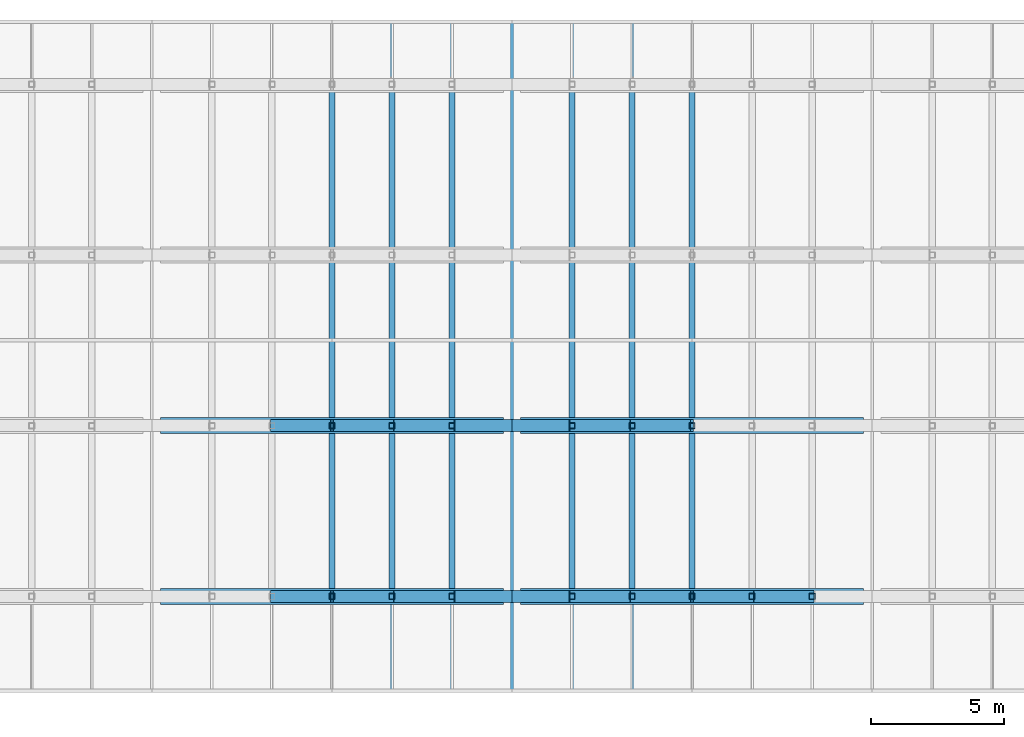
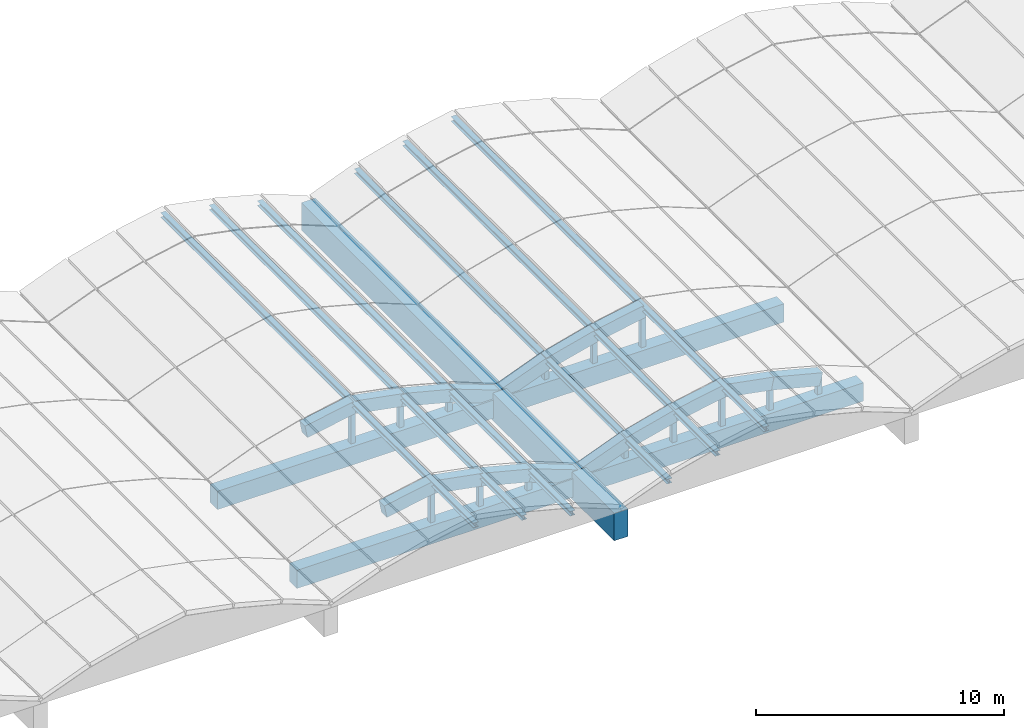
# One storey, part 4 of 15: 21 beams, 20 members.
"""IFC4 building model written with IfcOpenShell, lengths in metres."""

import ifcopenshell
import ifcopenshell.guid

model = None  # the IFC model being written
_history = None  # IfcOwnerHistory: only IFC2X3 demands one
_inside = {}  # id of a spatial element -> (the spatial element, [elements in it])
_under = {}  # id of a project, library or spatial element -> (it, [spatial elements below it])
_declared = {}  # id of a project -> (the project, [libraries it declares])
_typed = {}  # id of a type object -> (the type object, [elements of that type])
_made_of = {}  # id of a material, layer set ... -> (it, [elements and type objects made of it])


def new_model(schema):
    """Start an empty IFC model of exactly this schema.

    Asked for "IFC4X3", IfcOpenShell would pick the latest addendum, in which some entities
    have other attributes; the version numbers below select the first issue.
    IFC2X3 requires an IfcOwnerHistory on every rooted entity: one is made here for all.
    """
    global model, _history
    if schema == "IFC4X3":
        model = ifcopenshell.file(schema_version=(4, 3, 0, 0))
    else:
        model = ifcopenshell.file(schema=schema)
    _inside.clear()
    _under.clear()
    _declared.clear()
    _typed.clear()
    _made_of.clear()
    _history = None
    if model.schema == "IFC2X3":
        org = make("IfcOrganization", Name="unknown")
        user = make(
            "IfcPersonAndOrganization",
            ThePerson=make("IfcPerson", FamilyName="unknown"),
            TheOrganization=org,
        )
        app = make(
            "IfcApplication",
            ApplicationDeveloper=org,
            Version="unknown",
            ApplicationFullName="unknown",
            ApplicationIdentifier="unknown",
        )
        _history = make(
            "IfcOwnerHistory",
            OwningUser=user,
            OwningApplication=app,
            ChangeAction="ADDED",
            CreationDate=0,
        )
    return model


def make(cls, **values):
    """One entity of the class cls with the attributes given. An attribute that is None is left unset."""
    return model.create_entity(
        cls, **{name: value for name, value in values.items() if value is not None}
    )


def rooted(cls, **values):
    """An entity with a GlobalId (a new one), such as an element, a storey or a relation."""
    return make(cls, GlobalId=ifcopenshell.guid.new(), OwnerHistory=_history, **values)


def si_unit(unit_type, name, prefix=None):
    """IfcSIUnit, for example si_unit("LENGTHUNIT", "METRE", prefix="MILLI")."""
    return make("IfcSIUnit", UnitType=unit_type, Prefix=prefix, Name=name)


def assignment(units):
    """IfcUnitAssignment: the units of a project."""
    return None if units is None else make("IfcUnitAssignment", Units=units)


def point(xyz):
    """IfcCartesianPoint."""
    return None if xyz is None else make("IfcCartesianPoint", Coordinates=xyz)


def direction(xyz):
    """IfcDirection."""
    return None if xyz is None else make("IfcDirection", DirectionRatios=xyz)


def frame(location, z_axis=None, x_axis=None):
    """IfcAxis2Placement3D, a coordinate frame: its origin and axes. An axis left out is left unset."""
    return make(
        "IfcAxis2Placement3D",
        Location=point(location),
        Axis=direction(z_axis),
        RefDirection=direction(x_axis),
    )


def frame_2d(location, x_axis=None):
    """IfcAxis2Placement2D, a coordinate frame in the plane: its origin and x axis."""
    return make(
        "IfcAxis2Placement2D", Location=point(location), RefDirection=direction(x_axis)
    )


def origin():
    """The frame at (0, 0, 0) with its axes left unset."""
    return frame((0.0, 0.0, 0.0))


def origin_2d():
    """The frame at (0, 0) in the plane with its x axis left unset."""
    return frame_2d((0.0, 0.0))


def place(relative_to, where):
    """IfcLocalPlacement: puts the frame where relative to a parent placement (None: the world)."""
    return make(
        "IfcLocalPlacement", PlacementRelTo=relative_to, RelativePlacement=where
    )


def context(
    kind, dimensions, precision=None, world=None, true_north=None, identifier=None
):
    """IfcGeometricRepresentationContext, for example the 3D "Model" context."""
    return make(
        "IfcGeometricRepresentationContext",
        ContextIdentifier=identifier,
        ContextType=kind,
        CoordinateSpaceDimension=dimensions,
        Precision=precision,
        WorldCoordinateSystem=world,
        TrueNorth=true_north,
    )


def subcontext(parent, identifier, kind, view, scale=None):
    """IfcGeometricRepresentationSubContext, for example "Body" below "Model"."""
    return make(
        "IfcGeometricRepresentationSubContext",
        ContextIdentifier=identifier,
        ContextType=kind,
        ParentContext=parent,
        TargetScale=scale,
        TargetView=view,
    )


def project(units=None, contexts=None):
    """IfcProject with its units and contexts."""
    return rooted(
        "IfcProject",
        Name="project",
        RepresentationContexts=contexts,
        UnitsInContext=assignment(units),
    )


def spatial(cls, under=None, at=None, **own):
    """A site, building, storey or space (cls), placed at a placement, below another one or the project."""
    s = rooted(cls, ObjectPlacement=at, **own)
    if under is not None:
        _under.setdefault(under.id(), (under, []))[1].append(s)
    return s


def profile(cls, at=None, kind="AREA", **sizes):
    """A parametric profile (cls). Its sizes go by their IFC names, for example OverallWidth=200.0."""
    return make(cls, ProfileType=kind, Position=at, **sizes)


def rectangle(**sizes):
    """IfcRectangleProfileDef."""
    return profile("IfcRectangleProfileDef", **sizes)


def hollow_rectangle(**sizes):
    """IfcRectangleHollowProfileDef."""
    return profile("IfcRectangleHollowProfileDef", **sizes)


def i_section(**sizes):
    """IfcIShapeProfileDef."""
    return profile("IfcIShapeProfileDef", **sizes)


def extrude(swept, where, along, depth):
    """IfcExtrudedAreaSolid: the profile swept, set in the frame where, extruded along a direction by depth."""
    return make(
        "IfcExtrudedAreaSolid",
        SweptArea=swept,
        Position=where,
        ExtrudedDirection=direction(along),
        Depth=depth,
    )


def shape(context_of_items, identifier, shape_type, items):
    """IfcShapeRepresentation: the items that make up one representation, for example the "Body"."""
    return make(
        "IfcShapeRepresentation",
        ContextOfItems=context_of_items,
        RepresentationIdentifier=identifier,
        RepresentationType=shape_type,
        Items=items,
    )


def material(Name=None, Category=None):
    """IfcMaterial."""
    return make("IfcMaterial", Name=Name, Category=Category)


def material_profile(
    of_material, cross_section, Name=None, Category=None, Priority=None
):
    """IfcMaterialProfile: a cross section and its material."""
    return make(
        "IfcMaterialProfile",
        Name=Name,
        Material=of_material,
        Profile=cross_section,
        Priority=Priority,
        Category=Category,
    )


def profile_set(profiles, Name=None, composite=None):
    """IfcMaterialProfileSet."""
    return make(
        "IfcMaterialProfileSet",
        Name=Name,
        MaterialProfiles=profiles,
        CompositeProfile=composite,
    )


def made_of(thing, what):
    """Note that an element or type object is made of a material, layer set ...; save() writes the relation."""
    if what is not None:
        _made_of.setdefault(what.id(), (what, []))[1].append(thing)
    return thing


def type_object(cls, material=None, **own):
    """A type object (cls), such as IfcWallType, which elements share."""
    return made_of(rooted(cls, **own), material)


def element(
    cls,
    number,
    at=None,
    inside=None,
    cuts=None,
    type_object=None,
    material=None,
    context=None,
    identifier="Body",
    shape_type=None,
    held_by="IfcProductDefinitionShape",
    body=None,
    shapes=None,
    **own,
):
    """One element of the class cls, such as IfcWall. Its Tag is "e" and its number.

    at: its placement. inside: the storey or other place that contains it. cuts: it is an
    opening in that element (IfcRelVoidsElement). A single representation is given by context,
    identifier, shape_type and body (its items); several are given by shapes. held_by: the class
    of the entity that holds the representations. save() writes the other relations.
    """
    e = rooted(cls, Tag="e%d" % number, ObjectPlacement=at, **own)
    if body is not None:
        shapes = [shape(context, identifier, shape_type, body)]
    if shapes is not None:
        e.Representation = make(held_by, Representations=shapes)
    if inside is not None:
        _inside.setdefault(inside.id(), (inside, []))[1].append(e)
    if cuts is not None:
        rooted(
            "IfcRelVoidsElement", RelatingBuildingElement=cuts, RelatedOpeningElement=e
        )
    if type_object is not None:
        _typed.setdefault(type_object.id(), (type_object, []))[1].append(e)
    return made_of(e, material)


def aggregate(whole, parts):
    """IfcRelAggregates: a whole, such as a stair, and the parts it consists of."""
    return rooted("IfcRelAggregates", RelatingObject=whole, RelatedObjects=parts)


def save(model, path):
    """Write the relations noted so far, then the file.

    IfcRelAggregates (storeys below a building ...), IfcRelContainedInSpatialStructure (elements
    in a storey), IfcRelDefinesByType, IfcRelAssociatesMaterial and IfcRelDeclares: one each for
    every whole, place, type object, material and project.
    """
    for whole, parts in _under.values():
        aggregate(whole, parts)
    for where, things in _inside.values():
        rooted(
            "IfcRelContainedInSpatialStructure",
            RelatedElements=things,
            RelatingStructure=where,
        )
    for kind, things in _typed.values():
        rooted("IfcRelDefinesByType", RelatedObjects=things, RelatingType=kind)
    for what, things in _made_of.values():
        rooted("IfcRelAssociatesMaterial", RelatedObjects=things, RelatingMaterial=what)
    for by, libraries in _declared.values():
        rooted("IfcRelDeclares", RelatingContext=by, RelatedDefinitions=libraries)
    model.write(path)


model = new_model("IFC4")

# Units and contexts
model_context = context("Model", 3, precision=1e-05, world=origin(), true_north=direction((0.0, 1.0)))
body_context = subcontext(model_context, "Body", "Model", "MODEL_VIEW")
ifc_project = project(units=[si_unit("LENGTHUNIT", "METRE"), si_unit("AREAUNIT", "SQUARE_METRE"), si_unit("VOLUMEUNIT", "CUBIC_METRE"), si_unit("PLANEANGLEUNIT", "RADIAN"), si_unit("MASSUNIT", "GRAM", prefix="KILO")], contexts=[model_context])

# Site, building, storey
site_placement = place(None, origin())
site = spatial("IfcSite", under=ifc_project, at=site_placement, CompositionType="ELEMENT")
building_placement = place(site_placement, origin())
building = spatial("IfcBuilding", under=site, at=building_placement, Name="Fikremerkos Civic Library", CompositionType="ELEMENT")
storey_placement = place(building_placement, frame((0.0, 0.0, 27.89990234375)))
storey = spatial("IfcBuildingStorey", under=building, at=storey_placement, Name="RF", CompositionType="ELEMENT", Elevation=27.89990234375)

# Members
ifc_material_1 = material(Name="Steel S355", Category="steel")
ifc_material_profile_1 = material_profile(ifc_material_1, hollow_rectangle(XDim=0.219970703125, YDim=0.219970703125, WallThickness=0.012451171875, at=origin_2d()), Name="SHS 220x220x12.5")
ifc_profile_set_1 = profile_set([ifc_material_profile_1], Name="Steel S355")
member_type_1 = type_object("IfcMemberType", Name="Frame post PST-04 SHS 220x220x12.5", PredefinedType="POST", material=ifc_profile_set_1)
member_1_placement = place(storey_placement, frame((52.949951171875, 12.0, -0.75), z_axis=(0.0, 0.0, 1.0), x_axis=(1.0, 0.0, 0.0)))
element("IfcMember", 1, at=member_1_placement, inside=storey, type_object=member_type_1, Name="Vault tied-arch web post PST-04 V3 R1.3", PredefinedType="POST", context=body_context, shape_type="SweptSolid", body=[
    extrude(hollow_rectangle(XDim=0.219970703125, YDim=0.219970703125, WallThickness=0.012451171875, at=origin_2d()), origin(), (0.0, 0.0, 1.0), 2.43408203125),
])
member_2_placement = place(storey_placement, frame((55.199951171875, 12.0, -0.75), z_axis=(0.0, 0.0, 1.0), x_axis=(1.0, 0.0, 0.0)))
element("IfcMember", 2, at=member_2_placement, inside=storey, type_object=member_type_1, Name="Vault tied-arch web post PST-04 V3 R1.4", PredefinedType="POST", context=body_context, shape_type="SweptSolid", body=[
    extrude(hollow_rectangle(XDim=0.219970703125, YDim=0.219970703125, WallThickness=0.012451171875, at=origin_2d()), origin(), (0.0, 0.0, 1.0), 2.01416015625),
])
member_3_placement = place(storey_placement, frame((57.449951171875, 12.0, -0.75), z_axis=(0.0, 0.0, 1.0), x_axis=(1.0, 0.0, 0.0)))
element("IfcMember", 3, at=member_3_placement, inside=storey, type_object=member_type_1, Name="Vault tied-arch web post PST-04 V3 R1.5", PredefinedType="POST", context=body_context, shape_type="SweptSolid", body=[
    extrude(hollow_rectangle(XDim=0.219970703125, YDim=0.219970703125, WallThickness=0.012451171875, at=origin_2d()), origin(), (0.0, 0.0, 1.0), 1.43603515625),
])
member_4_placement = place(storey_placement, frame((52.949951171875, 18.39990234375, -0.75), z_axis=(0.0, 0.0, 1.0), x_axis=(1.0, 0.0, 0.0)))
element("IfcMember", 4, at=member_4_placement, inside=storey, type_object=member_type_1, Name="Vault tied-arch web post PST-04 V3 R2.3", PredefinedType="POST", context=body_context, shape_type="SweptSolid", body=[
    extrude(hollow_rectangle(XDim=0.219970703125, YDim=0.219970703125, WallThickness=0.012451171875, at=origin_2d()), origin(), (0.0, 0.0, 1.0), 2.47412109375),
])
member_5_placement = place(storey_placement, frame((55.199951171875, 18.39990234375, -0.75), z_axis=(0.0, 0.0, 1.0), x_axis=(1.0, 0.0, 0.0)))
element("IfcMember", 5, at=member_5_placement, inside=storey, type_object=member_type_1, Name="Vault tied-arch web post PST-04 V3 R2.4", PredefinedType="POST", context=body_context, shape_type="SweptSolid", body=[
    extrude(hollow_rectangle(XDim=0.219970703125, YDim=0.219970703125, WallThickness=0.012451171875, at=origin_2d()), origin(), (0.0, 0.0, 1.0), 2.05419921875),
])
member_6_placement = place(storey_placement, frame((57.449951171875, 18.39990234375, -0.75), z_axis=(0.0, 0.0, 1.0), x_axis=(1.0, 0.0, 0.0)))
element("IfcMember", 6, at=member_6_placement, inside=storey, type_object=member_type_1, Name="Vault tied-arch web post PST-04 V3 R2.5", PredefinedType="POST", context=body_context, shape_type="SweptSolid", body=[
    extrude(hollow_rectangle(XDim=0.219970703125, YDim=0.219970703125, WallThickness=0.012451171875, at=origin_2d()), origin(), (0.0, 0.0, 1.0), 1.47607421875),
])
member_7_placement = place(storey_placement, frame((61.949951171875, 12.0, -0.75), z_axis=(0.0, 0.0, 1.0), x_axis=(1.0, 0.0, 0.0)))
element("IfcMember", 7, at=member_7_placement, inside=storey, type_object=member_type_1, Name="Vault tied-arch web post PST-04 V4 R1.1", PredefinedType="POST", context=body_context, shape_type="SweptSolid", body=[
    extrude(hollow_rectangle(XDim=0.219970703125, YDim=0.219970703125, WallThickness=0.012451171875, at=origin_2d()), origin(), (0.0, 0.0, 1.0), 1.43603515625),
])
member_8_placement = place(storey_placement, frame((64.199951171875, 12.0, -0.75), z_axis=(0.0, 0.0, 1.0), x_axis=(1.0, 0.0, 0.0)))
element("IfcMember", 8, at=member_8_placement, inside=storey, type_object=member_type_1, Name="Vault tied-arch web post PST-04 V4 R1.2", PredefinedType="POST", context=body_context, shape_type="SweptSolid", body=[
    extrude(hollow_rectangle(XDim=0.219970703125, YDim=0.219970703125, WallThickness=0.012451171875, at=origin_2d()), origin(), (0.0, 0.0, 1.0), 2.01416015625),
])
member_9_placement = place(storey_placement, frame((66.449951171875, 12.0, -0.75), z_axis=(0.0, 0.0, 1.0), x_axis=(1.0, 0.0, 0.0)))
element("IfcMember", 9, at=member_9_placement, inside=storey, type_object=member_type_1, Name="Vault tied-arch web post PST-04 V4 R1.3", PredefinedType="POST", context=body_context, shape_type="SweptSolid", body=[
    extrude(hollow_rectangle(XDim=0.219970703125, YDim=0.219970703125, WallThickness=0.012451171875, at=origin_2d()), origin(), (0.0, 0.0, 1.0), 2.43408203125),
])
member_10_placement = place(storey_placement, frame((68.699951171875, 12.0, -0.75), z_axis=(0.0, 0.0, 1.0), x_axis=(1.0, 0.0, 0.0)))
element("IfcMember", 10, at=member_10_placement, inside=storey, type_object=member_type_1, Name="Vault tied-arch web post PST-04 V4 R1.4", PredefinedType="POST", context=body_context, shape_type="SweptSolid", body=[
    extrude(hollow_rectangle(XDim=0.219970703125, YDim=0.219970703125, WallThickness=0.012451171875, at=origin_2d()), origin(), (0.0, 0.0, 1.0), 2.01416015625),
])
member_11_placement = place(storey_placement, frame((70.949951171875, 12.0, -0.75), z_axis=(0.0, 0.0, 1.0), x_axis=(1.0, 0.0, 0.0)))
element("IfcMember", 11, at=member_11_placement, inside=storey, type_object=member_type_1, Name="Vault tied-arch web post PST-04 V4 R1.5", PredefinedType="POST", context=body_context, shape_type="SweptSolid", body=[
    extrude(hollow_rectangle(XDim=0.219970703125, YDim=0.219970703125, WallThickness=0.012451171875, at=origin_2d()), origin(), (0.0, 0.0, 1.0), 1.43603515625),
])
member_12_placement = place(storey_placement, frame((61.949951171875, 18.39990234375, -0.75), z_axis=(0.0, 0.0, 1.0), x_axis=(1.0, 0.0, 0.0)))
element("IfcMember", 12, at=member_12_placement, inside=storey, type_object=member_type_1, Name="Vault tied-arch web post PST-04 V4 R2.1", PredefinedType="POST", context=body_context, shape_type="SweptSolid", body=[
    extrude(hollow_rectangle(XDim=0.219970703125, YDim=0.219970703125, WallThickness=0.012451171875, at=origin_2d()), origin(), (0.0, 0.0, 1.0), 1.47607421875),
])
member_13_placement = place(storey_placement, frame((64.199951171875, 18.39990234375, -0.75), z_axis=(0.0, 0.0, 1.0), x_axis=(1.0, 0.0, 0.0)))
element("IfcMember", 13, at=member_13_placement, inside=storey, type_object=member_type_1, Name="Vault tied-arch web post PST-04 V4 R2.2", PredefinedType="POST", context=body_context, shape_type="SweptSolid", body=[
    extrude(hollow_rectangle(XDim=0.219970703125, YDim=0.219970703125, WallThickness=0.012451171875, at=origin_2d()), origin(), (0.0, 0.0, 1.0), 2.05419921875),
])
member_14_placement = place(storey_placement, frame((66.449951171875, 18.39990234375, -0.75), z_axis=(0.0, 0.0, 1.0), x_axis=(1.0, 0.0, 0.0)))
element("IfcMember", 14, at=member_14_placement, inside=storey, type_object=member_type_1, Name="Vault tied-arch web post PST-04 V4 R2.3", PredefinedType="POST", context=body_context, shape_type="SweptSolid", body=[
    extrude(hollow_rectangle(XDim=0.219970703125, YDim=0.219970703125, WallThickness=0.012451171875, at=origin_2d()), origin(), (0.0, 0.0, 1.0), 2.47412109375),
])

# Beams
ifc_material_2 = material(Name="Concrete C45/55", Category="concrete")
ifc_material_profile_2 = material_profile(ifc_material_2, rectangle(XDim=0.449951171875, YDim=0.6201171875, at=origin_2d()), Name="RC 450x620")
ifc_profile_set_2 = profile_set([ifc_material_profile_2], Name="Concrete C45/55")
beam_type_1 = type_object("IfcBeamType", Name="Primary girder vault arch rib BM-10 RC 450x620", PredefinedType="BEAM", material=ifc_profile_set_2)
for number, where, z_axis, x_axis, name in (
    (15, (50.699951171875, 12.0, 1.07421875), (0.983026405145, 0.0, 0.183464129432), (0.0, 1.0, 0.0), "Concrete vault arch rib BM-10 V3 R1.3"),
    (16, (52.949951171875, 12.0, 1.494140625), (0.983026405145, 0.0, -0.183464129432), (0.0, 1.0, 0.0), "Concrete vault arch rib BM-10 V3 R1.4"),
):
    element("IfcBeam", number, at=place(storey_placement, frame(where, z_axis=z_axis, x_axis=x_axis)), inside=storey, type_object=beam_type_1, Name=name, PredefinedType="BEAM", context=body_context, shape_type="SweptSolid", body=[
        extrude(rectangle(XDim=0.449951171875, YDim=0.6201171875, at=origin_2d()), origin(), (0.0, 0.0, 1.0), 2.288818359375),
    ])
beam_1_placement = place(storey_placement, frame((55.199951171875, 12.0, 1.07421875), z_axis=(0.968539266286, 0.0, -0.248860783698), x_axis=(0.0, 1.0, 0.0)))
element("IfcBeam", 17, at=beam_1_placement, inside=storey, type_object=beam_type_1, Name="Concrete vault arch rib BM-10 V3 R1.5", PredefinedType="BEAM", context=body_context, shape_type="SweptSolid", body=[
    extrude(rectangle(XDim=0.449951171875, YDim=0.6201171875, at=origin_2d()), origin(), (0.0, 0.0, 1.0), 2.322998046875),
])
beam_2_placement = place(storey_placement, frame((57.449951171875, 12.0, 0.49609375), z_axis=(0.936028311828, 0.0, -0.351924707084), x_axis=(0.0, 1.0, 0.0)))
element("IfcBeam", 18, at=beam_2_placement, inside=storey, type_object=beam_type_1, Name="Concrete vault arch rib BM-10 V3 R1.6", PredefinedType="BEAM", context=body_context, shape_type="SweptSolid", body=[
    extrude(rectangle(XDim=0.449951171875, YDim=0.6201171875, at=origin_2d()), origin(), (0.0, 0.0, 1.0), 2.40380859375),
])
for number, where, z_axis, x_axis, name in (
    (19, (50.699951171875, 18.39990234375, 1.114013671875), (0.983007163041, 0.0, 0.183567201345), (0.0, 1.0, 0.0), "Concrete vault arch rib BM-10 V3 R2.3"),
    (20, (52.949951171875, 18.39990234375, 1.5341796875), (0.983007163041, 0.0, -0.183567201345), (0.0, 1.0, 0.0), "Concrete vault arch rib BM-10 V3 R2.4"),
):
    element("IfcBeam", number, at=place(storey_placement, frame(where, z_axis=z_axis, x_axis=x_axis)), inside=storey, type_object=beam_type_1, Name=name, PredefinedType="BEAM", context=body_context, shape_type="SweptSolid", body=[
        extrude(rectangle(XDim=0.449951171875, YDim=0.6201171875, at=origin_2d()), origin(), (0.0, 0.0, 1.0), 2.288818359375),
    ])
beam_3_placement = place(storey_placement, frame((55.199951171875, 18.39990234375, 1.114013671875), z_axis=(0.968564592705, 0.0, -0.248762195197), x_axis=(0.0, 1.0, 0.0)))
element("IfcBeam", 21, at=beam_3_placement, inside=storey, type_object=beam_type_1, Name="Concrete vault arch rib BM-10 V3 R2.5", PredefinedType="BEAM", context=body_context, shape_type="SweptSolid", body=[
    extrude(rectangle(XDim=0.449951171875, YDim=0.6201171875, at=origin_2d()), origin(), (0.0, 0.0, 1.0), 2.322998046875),
])
for number, where, z_axis, x_axis, name in (
    (22, (57.449951171875, 18.39990234375, 0.5361328125), (0.936028311828, 0.0, -0.351924707084), (0.0, 1.0, 0.0), "Concrete vault arch rib BM-10 V3 R2.6"),
    (23, (59.699951171875, 12.0, -0.349853515625), (0.936028311828, 0.0, 0.351924707084), (0.0, 1.0, 0.0), "Concrete vault arch rib BM-10 V4 R1.1"),
):
    element("IfcBeam", number, at=place(storey_placement, frame(where, z_axis=z_axis, x_axis=x_axis)), inside=storey, type_object=beam_type_1, Name=name, PredefinedType="BEAM", context=body_context, shape_type="SweptSolid", body=[
        extrude(rectangle(XDim=0.449951171875, YDim=0.6201171875, at=origin_2d()), origin(), (0.0, 0.0, 1.0), 2.40380859375),
    ])
beam_4_placement = place(storey_placement, frame((61.949951171875, 12.0, 0.49609375), z_axis=(0.968539266286, 0.0, 0.248860783698), x_axis=(0.0, 1.0, 0.0)))
element("IfcBeam", 24, at=beam_4_placement, inside=storey, type_object=beam_type_1, Name="Concrete vault arch rib BM-10 V4 R1.2", PredefinedType="BEAM", context=body_context, shape_type="SweptSolid", body=[
    extrude(rectangle(XDim=0.449951171875, YDim=0.6201171875, at=origin_2d()), origin(), (0.0, 0.0, 1.0), 2.322998046875),
])
for number, where, z_axis, x_axis, name in (
    (25, (64.199951171875, 12.0, 1.07421875), (0.983026405145, 0.0, 0.183464129432), (0.0, 1.0, 0.0), "Concrete vault arch rib BM-10 V4 R1.3"),
    (26, (66.449951171875, 12.0, 1.494140625), (0.983026405145, 0.0, -0.183464129432), (0.0, 1.0, 0.0), "Concrete vault arch rib BM-10 V4 R1.4"),
):
    element("IfcBeam", number, at=place(storey_placement, frame(where, z_axis=z_axis, x_axis=x_axis)), inside=storey, type_object=beam_type_1, Name=name, PredefinedType="BEAM", context=body_context, shape_type="SweptSolid", body=[
        extrude(rectangle(XDim=0.449951171875, YDim=0.6201171875, at=origin_2d()), origin(), (0.0, 0.0, 1.0), 2.288818359375),
    ])
beam_5_placement = place(storey_placement, frame((68.699951171875, 12.0, 1.07421875), z_axis=(0.968539266286, 0.0, -0.248860783698), x_axis=(0.0, 1.0, 0.0)))
element("IfcBeam", 27, at=beam_5_placement, inside=storey, type_object=beam_type_1, Name="Concrete vault arch rib BM-10 V4 R1.5", PredefinedType="BEAM", context=body_context, shape_type="SweptSolid", body=[
    extrude(rectangle(XDim=0.449951171875, YDim=0.6201171875, at=origin_2d()), origin(), (0.0, 0.0, 1.0), 2.322998046875),
])
beam_6_placement = place(storey_placement, frame((59.699951171875, 18.39990234375, -0.309814453125), z_axis=(0.936028311828, 0.0, 0.351924707084), x_axis=(0.0, 1.0, 0.0)))
element("IfcBeam", 28, at=beam_6_placement, inside=storey, type_object=beam_type_1, Name="Concrete vault arch rib BM-10 V4 R2.1", PredefinedType="BEAM", context=body_context, shape_type="SweptSolid", body=[
    extrude(rectangle(XDim=0.449951171875, YDim=0.6201171875, at=origin_2d()), origin(), (0.0, 0.0, 1.0), 2.40380859375),
])
beam_7_placement = place(storey_placement, frame((61.949951171875, 18.39990234375, 0.5361328125), z_axis=(0.968564592705, 0.0, 0.248762195197), x_axis=(0.0, 1.0, 0.0)))
element("IfcBeam", 29, at=beam_7_placement, inside=storey, type_object=beam_type_1, Name="Concrete vault arch rib BM-10 V4 R2.2", PredefinedType="BEAM", context=body_context, shape_type="SweptSolid", body=[
    extrude(rectangle(XDim=0.449951171875, YDim=0.6201171875, at=origin_2d()), origin(), (0.0, 0.0, 1.0), 2.322998046875),
])
beam_8_placement = place(storey_placement, frame((64.199951171875, 18.39990234375, 1.114013671875), z_axis=(0.983007163041, 0.0, 0.183567201345), x_axis=(0.0, 1.0, 0.0)))
element("IfcBeam", 30, at=beam_8_placement, inside=storey, type_object=beam_type_1, Name="Concrete vault arch rib BM-10 V4 R2.3", PredefinedType="BEAM", context=body_context, shape_type="SweptSolid", body=[
    extrude(rectangle(XDim=0.449951171875, YDim=0.6201171875, at=origin_2d()), origin(), (0.0, 0.0, 1.0), 2.288818359375),
])
ifc_material_profile_3 = material_profile(ifc_material_2, rectangle(XDim=0.60009765625, YDim=0.89990234375, at=origin_2d()), Name="RC 600x900")
ifc_profile_set_3 = profile_set([ifc_material_profile_3], Name="Concrete C45/55")
beam_type_2 = type_object("IfcBeamType", Name="Primary girder vault tie ring BM-09 RC 600x900", PredefinedType="BEAM", material=ifc_profile_set_3)
for number, where, z_axis, x_axis, name in (
    (31, (46.52490234375, 12.0, -0.75), (1.0, 0.0, 0.0), (0.0, 1.0, 0.0), "Vault springing tie ring beam BM-09 V3 #1"),
    (32, (46.52490234375, 18.39990234375, -0.75), (1.0, 0.0, 0.0), (0.0, 1.0, 0.0), "Vault springing tie ring beam BM-09 V3 #2"),
    (33, (60.02490234375, 12.0, -0.75), (1.0, 0.0, 0.0), (0.0, 1.0, 0.0), "Vault springing tie ring beam BM-09 V4 #1"),
    (34, (60.02490234375, 18.39990234375, -0.75), (1.0, 0.0, 0.0), (0.0, 1.0, 0.0), "Vault springing tie ring beam BM-09 V4 #2"),
):
    element("IfcBeam", number, at=place(storey_placement, frame(where, z_axis=z_axis, x_axis=x_axis)), inside=storey, type_object=beam_type_2, Name=name, PredefinedType="BEAM", context=body_context, shape_type="SweptSolid", body=[
        extrude(rectangle(XDim=0.60009765625, YDim=0.89990234375, at=origin_2d()), origin(), (0.0, 0.0, 1.0), 12.85009765625),
    ])

# Members
ifc_material_profile_4 = material_profile(ifc_material_1, i_section(OverallWidth=0.239990234375, OverallDepth=0.22998046875, WebThickness=0.007568359375, FlangeThickness=0.011962890625, FilletRadius=0.02099609375, at=origin_2d()), Name="HEA 240")
ifc_profile_set_4 = profile_set([ifc_material_profile_4], Name="Steel S355")
member_type_2 = type_object("IfcMemberType", Name="Roof purlin PUR-06 HEA 240", PredefinedType="PURLIN", material=ifc_profile_set_4)
for number, where, z_axis, x_axis, name in (
    (35, (52.949951171875, 8.39990234375, 1.689208984375), (0.0, 1.0, 0.0), (-1.0, 0.0, 0.0), "Vault fold-line purlin PUR-06 V3 #3"),
    (36, (55.199951171875, 8.39990234375, 1.26904296875), (0.0, 1.0, 0.0), (-1.0, 0.0, 0.0), "Vault fold-line purlin PUR-06 V3 #4"),
    (37, (57.449951171875, 8.39990234375, 0.691162109375), (0.0, 1.0, 0.0), (-1.0, 0.0, 0.0), "Vault fold-line purlin PUR-06 V3 #5"),
    (38, (61.949951171875, 8.39990234375, 0.691162109375), (0.0, 1.0, 0.0), (-1.0, 0.0, 0.0), "Vault fold-line purlin PUR-06 V4 #1"),
    (39, (64.199951171875, 8.39990234375, 1.26904296875), (0.0, 1.0, 0.0), (-1.0, 0.0, 0.0), "Vault fold-line purlin PUR-06 V4 #2"),
    (40, (66.449951171875, 8.39990234375, 1.689208984375), (0.0, 1.0, 0.0), (-1.0, 0.0, 0.0), "Vault fold-line purlin PUR-06 V4 #3"),
):
    element("IfcMember", number, at=place(storey_placement, frame(where, z_axis=z_axis, x_axis=x_axis)), inside=storey, type_object=member_type_2, Name=name, PredefinedType="PURLIN", context=body_context, shape_type="SweptSolid", body=[
        extrude(i_section(OverallWidth=0.239990234375, OverallDepth=0.22998046875, WebThickness=0.007568359375, FlangeThickness=0.011962890625, FilletRadius=0.02099609375, at=origin_2d()), origin(), (0.0, 0.0, 1.0), 25.2001953125),
    ])

# Beam
ifc_material_profile_5 = material_profile(ifc_material_2, rectangle(XDim=0.64990234375, YDim=1.35009765625, at=origin_2d()), Name="RC 650x1350")
ifc_profile_set_5 = profile_set([ifc_material_profile_5], Name="Concrete C45/55")
beam_type_3 = type_object("IfcBeamType", Name="Spandrel edge beam valley SPB-01 RC 650x1350", PredefinedType="SPANDREL", material=ifc_profile_set_5)
beam_9_placement = place(storey_placement, frame((59.699951171875, 8.39990234375, -0.6748046875), z_axis=(0.0, 1.0, 0.0), x_axis=(-1.0, 0.0, 0.0)))
element("IfcBeam", 41, at=beam_9_placement, inside=storey, type_object=beam_type_3, Name="Reading hall concrete valley edge beam SPB-01 #4", PredefinedType="SPANDREL", context=body_context, shape_type="SweptSolid", body=[
    extrude(rectangle(XDim=0.64990234375, YDim=1.35009765625, at=origin_2d()), origin(), (0.0, 0.0, 1.0), 25.2001953125),
])

save(model, "model.ifc")
